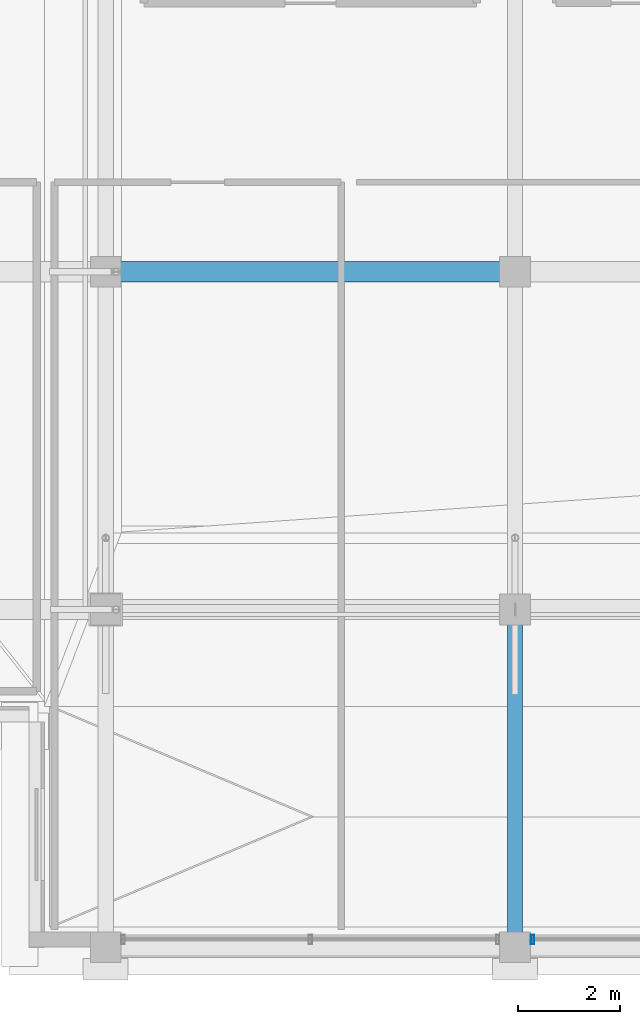
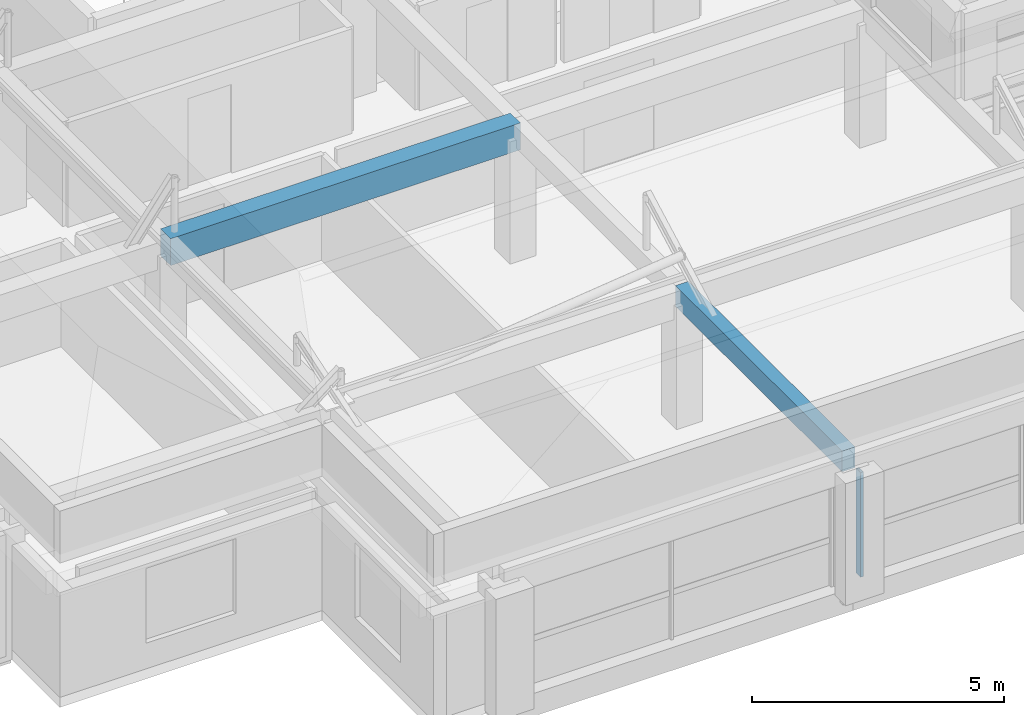
# One storey, part 5 of 39: 2 beams, 1 member, 1 element without a shape of its own.
"""IFC4 building model written with IfcOpenShell, lengths in metres."""

from ifc_helpers import new_model, si_unit, direction, frame, origin, origin_2d, place, context, subcontext, project, spatial, rectangle, hollow_rectangle, extrude, material, material_profile, profile_set, type_object, element, aggregate, save


model = new_model("IFC4")

# Units and contexts
model_context = context("Model", 3, precision=1e-05, world=origin(), true_north=direction((0.0, 1.0)))
body_context = subcontext(model_context, "Body", "Model", "MODEL_VIEW")
ifc_project = project(units=[si_unit("LENGTHUNIT", "METRE"), si_unit("AREAUNIT", "SQUARE_METRE"), si_unit("VOLUMEUNIT", "CUBIC_METRE"), si_unit("PLANEANGLEUNIT", "RADIAN"), si_unit("MASSUNIT", "GRAM", prefix="KILO")], contexts=[model_context])

# Site, building, storey
site_placement = place(None, origin())
site = spatial("IfcSite", under=ifc_project, at=site_placement, CompositionType="ELEMENT")
building_placement = place(site_placement, origin())
building = spatial("IfcBuilding", under=site, at=building_placement, Name="Akrevak Sports Hall", CompositionType="ELEMENT")
storey_placement = place(building_placement, frame((0.0, 0.0, 66.550048828125)))
storey = spatial("IfcBuildingStorey", under=building, at=storey_placement, Name="L17", CompositionType="ELEMENT", Elevation=66.550048828125)

# Curtain wall, member
ifc_material_1 = material(Name="Anodized Bronze Aluminium & Low-E Glass", Category="aluminium")
curtain_wall_type = type_object("IfcCurtainWallType", Name="ARC-CW-TWR-68x30", PredefinedType="NOTDEFINED", material=ifc_material_1)
curtain_wall_placement = place(storey_placement, origin())
curtain_wall = element("IfcCurtainWall", 1, at=curtain_wall_placement, inside=storey, type_object=curtain_wall_type, Name="Curtain Wall CW-L17-S03", PredefinedType="NOTDEFINED")
ifc_material_2 = material(Name="Anodized Bronze Aluminium", Category="aluminium")
ifc_material_profile_1 = material_profile(ifc_material_2, hollow_rectangle(XDim=0.06494140625, YDim=0.179931640625, WallThickness=0.00390625, at=origin_2d()), Name="CWM 65x180", Category="aluminium")
ifc_profile_set_1 = profile_set([ifc_material_profile_1], Name="Anodized Bronze Aluminium")
member_type = type_object("IfcMemberType", Name="ARC-CWM-65x140", PredefinedType="MULLION", material=ifc_profile_set_1)
member_placement = place(storey_placement, frame((68.340087890625, 35.550048828125, 0.0), z_axis=(0.0, 0.0, 1.0), x_axis=(1.0, 0.0, 0.0)))
member = element("IfcMember", 2, at=member_placement, type_object=member_type, Name="Curtain Wall Mullion CW-L17-S03-M1", PredefinedType="MULLION", context=body_context, shape_type="SweptSolid", body=[
    extrude(hollow_rectangle(XDim=0.06494140625, YDim=0.179931640625, WallThickness=0.00390625, at=origin_2d()), origin(), (0.0, 0.0, 1.0), 2.530029296875),
])
aggregate(curtain_wall, [member])

# Beams
ifc_material_3 = material(Name="Concrete C40/50", Category="concrete")
ifc_material_profile_2 = material_profile(ifc_material_3, rectangle(XDim=0.300048828125, YDim=0.5, at=origin_2d()), Name="BM 300x500", Category="concrete")
ifc_profile_set_2 = profile_set([ifc_material_profile_2], Name="Concrete C40/50")
beam_type_1 = type_object("IfcBeamType", Name="STR-BM-RC300x500", PredefinedType="BEAM", material=ifc_profile_set_2)
beam_1_placement = place(storey_placement, frame((68.0, 35.39990234375, 3.0), z_axis=(0.0, 1.0, 0.0), x_axis=(-1.0, 0.0, 0.0)))
element("IfcBeam", 3, at=beam_1_placement, inside=storey, type_object=beam_type_1, Name="Girder 10/F-G (ROOF)", PredefinedType="BEAM", context=body_context, shape_type="SweptSolid", body=[
    extrude(rectangle(XDim=0.300048828125, YDim=0.5, at=origin_2d()), origin(), (0.0, 0.0, 1.0), 6.60009765625),
])
ifc_material_profile_3 = material_profile(ifc_material_3, rectangle(XDim=0.39990234375, YDim=0.64990234375, at=origin_2d()), Name="BM 400x650", Category="concrete")
ifc_profile_set_3 = profile_set([ifc_material_profile_3], Name="Concrete C40/50")
beam_type_2 = type_object("IfcBeamType", Name="STR-BM-RC400x650", PredefinedType="BEAM", material=ifc_profile_set_3)
beam_2_placement = place(storey_placement, frame((60.0, 48.60009765625, 2.925048828125), z_axis=(1.0, 0.0, 0.0), x_axis=(0.0, 1.0, 0.0)))
element("IfcBeam", 4, at=beam_2_placement, inside=storey, type_object=beam_type_2, Name="Girder H/9-10 (ROOF)", PredefinedType="BEAM", context=body_context, shape_type="SweptSolid", body=[
    extrude(rectangle(XDim=0.39990234375, YDim=0.64990234375, at=origin_2d()), origin(), (0.0, 0.0, 1.0), 8.0),
])

save(model, "model.ifc")
